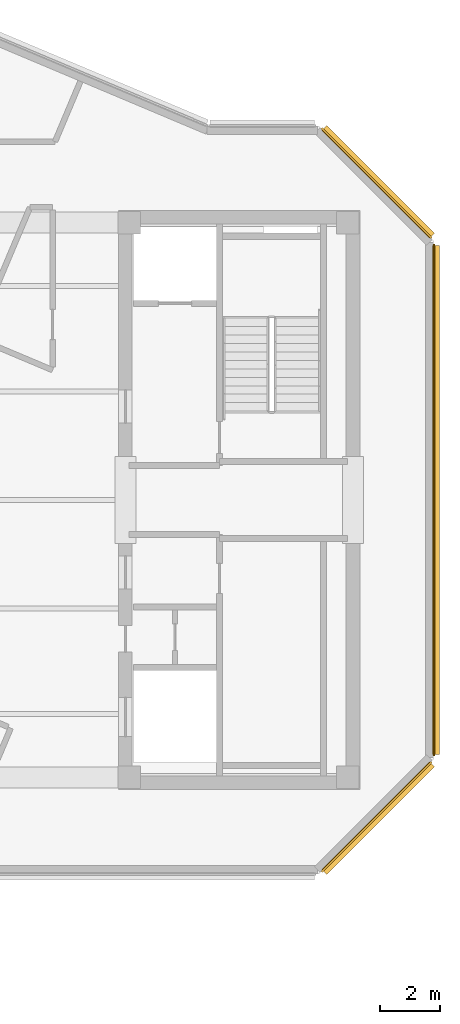
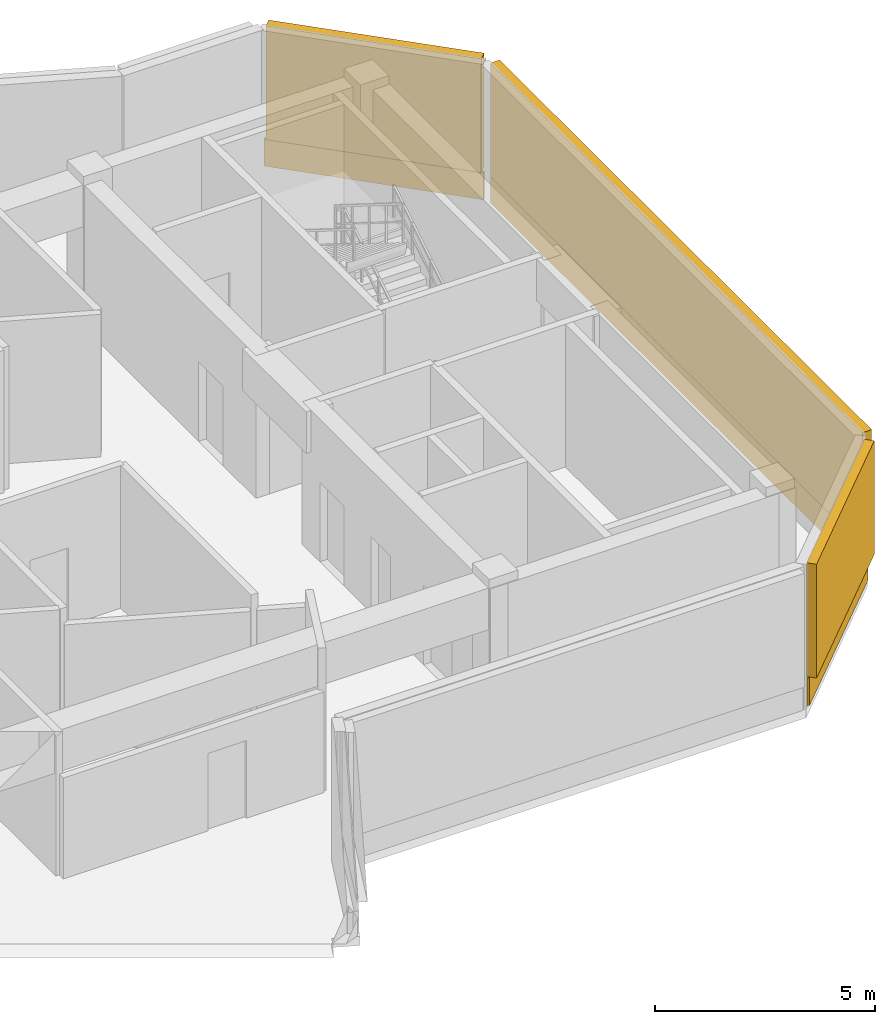
# One storey, part 5 of 5: 3 coverings, 3 shading devices.
"""IFC4 building model written with IfcOpenShell, lengths in metres."""

from ifc_helpers import new_model, si_unit, direction, frame, origin, origin_2d, place, context, subcontext, project, spatial, rectangle, extrude, source, transform, mapped, material, layer, layer_set, type_object, element, save


model = new_model("IFC4")

# Units and contexts
model_context = context("Model", 3, precision=1e-05, world=origin(), true_north=direction((0.0, 1.0)))
body_context = subcontext(model_context, "Body", "Model", "MODEL_VIEW")
ifc_project = project(units=[si_unit("LENGTHUNIT", "METRE"), si_unit("AREAUNIT", "SQUARE_METRE"), si_unit("VOLUMEUNIT", "CUBIC_METRE"), si_unit("PLANEANGLEUNIT", "RADIAN"), si_unit("MASSUNIT", "GRAM", prefix="KILO")], contexts=[model_context])

# Site, building, storey
site_placement = place(None, origin())
site = spatial("IfcSite", under=ifc_project, at=site_placement, CompositionType="ELEMENT")
building_placement = place(site_placement, origin())
building = spatial("IfcBuilding", under=site, at=building_placement, Name="Zahravan Cultural Tower", CompositionType="ELEMENT")
storey_placement = place(building_placement, frame((0.0, 0.0, 379.64990234375)))
storey = spatial("IfcBuildingStorey", under=building, at=storey_placement, Name="L92", CompositionType="ELEMENT", Elevation=379.64990234375)

# Coverings
ifc_material_1 = material(Name="Terracotta ceramic cladding", Category="masonry")
ifc_layer = layer(ifc_material_1, 0.06005859375)
ifc_layer_set = layer_set([ifc_layer], Name="Terracotta ceramic cladding")
covering_type = type_object("IfcCoveringType", Name="COV-CLAD-TC60", PredefinedType="CLADDING", material=ifc_layer_set)
shared_shape_1 = source(origin(), body_context, "Body", "SweptSolid", [
    extrude(rectangle(XDim=5.157958984375, YDim=0.06005859375, at=origin_2d()), origin(), (0.0, 0.0, 1.0), 0.760009765625),
])
for number, where, z_axis, x_axis, name in (
    (1, (51.310546875, 37.510498046875, 0.02001953125), (0.0, 0.0, 1.0), (0.707106781187, -0.707106781187, 0.0), "L92 Terracotta Spandrel Cladding 05"),
    (2, (51.310546875, 16.489501953125, 0.02001953125), (0.0, 0.0, 1.0), (-0.707106781187, -0.707106781187, 0.0), "L92 Terracotta Spandrel Cladding 07"),
):
    element("IfcCovering", number, at=place(storey_placement, frame(where, z_axis=z_axis, x_axis=x_axis)), inside=storey, type_object=covering_type, Name=name, PredefinedType="CLADDING", context=body_context, shape_type="MappedRepresentation", body=[
        mapped(shared_shape_1, transform((0.0, 0.0, 0.0), x_axis=(1.0, 0.0, 0.0), y_axis=(0.0, 1.0, 0.0), z_axis=(0.0, 0.0, 1.0), scale=1.0)),
    ])
shared_shape_2 = source(origin(), body_context, "Body", "SweptSolid", [
    extrude(rectangle(XDim=16.98388671875, YDim=0.06005859375, at=origin_2d()), origin(), (0.0, 0.0, 1.0), 0.760009765625),
])
covering_placement = place(storey_placement, frame((53.215087890625, 27.0, 0.02001953125), z_axis=(0.0, 0.0, 1.0), x_axis=(0.0, -1.0, 0.0)))
element("IfcCovering", 3, at=covering_placement, inside=storey, type_object=covering_type, Name="L92 Terracotta Spandrel Cladding 06", PredefinedType="CLADDING", context=body_context, shape_type="MappedRepresentation", body=[
    mapped(shared_shape_2, transform((0.0, 0.0, 0.0), x_axis=(1.0, 0.0, 0.0), y_axis=(0.0, 1.0, 0.0), z_axis=(0.0, 0.0, 1.0), scale=1.0)),
])

# Shading devices
ifc_material_2 = material(Name="Architectural terracotta fin", Category="masonry")
shading_device_type = type_object("IfcShadingDeviceType", Name="SHD-LOUVRE-BAND", PredefinedType="JALOUSIE", material=ifc_material_2)
shared_shape_3 = source(origin(), body_context, "Body", "SweptSolid", [
    extrude(rectangle(XDim=5.05810546875, YDim=0.239990234375, at=origin_2d()), origin(), (0.0, 0.0, 1.0), 3.14990234375),
])
for number, where, z_axis, x_axis, name in (
    (4, (51.356689453125, 37.556640625, 0.780029296875), (0.0, 0.0, 1.0), (0.707106781187, -0.707106781187, 0.0), "L92 Terracotta Acoustic Louvre 04"),
    (5, (51.356689453125, 16.443359375, 0.780029296875), (0.0, 0.0, 1.0), (-0.707106781187, -0.707106781187, 0.0), "L92 Terracotta Acoustic Louvre 06"),
):
    element("IfcShadingDevice", number, at=place(storey_placement, frame(where, z_axis=z_axis, x_axis=x_axis)), inside=storey, type_object=shading_device_type, Name=name, PredefinedType="JALOUSIE", context=body_context, shape_type="MappedRepresentation", body=[
        mapped(shared_shape_3, transform((0.0, 0.0, 0.0), x_axis=(1.0, 0.0, 0.0), y_axis=(0.0, 1.0, 0.0), z_axis=(0.0, 0.0, 1.0), scale=1.0)),
    ])
shared_shape_4 = source(origin(), body_context, "Body", "SweptSolid", [
    extrude(rectangle(XDim=16.884033203125, YDim=0.239990234375, at=origin_2d()), origin(), (0.0, 0.0, 1.0), 3.14990234375),
])
shading_device_placement = place(storey_placement, frame((53.280029296875, 27.0, 0.780029296875), z_axis=(0.0, 0.0, 1.0), x_axis=(0.0, -1.0, 0.0)))
element("IfcShadingDevice", 6, at=shading_device_placement, inside=storey, type_object=shading_device_type, Name="L92 Terracotta Acoustic Louvre 05", PredefinedType="JALOUSIE", context=body_context, shape_type="MappedRepresentation", body=[
    mapped(shared_shape_4, transform((0.0, 0.0, 0.0), x_axis=(1.0, 0.0, 0.0), y_axis=(0.0, 1.0, 0.0), z_axis=(0.0, 0.0, 1.0), scale=1.0)),
])

save(model, "model.ifc")
